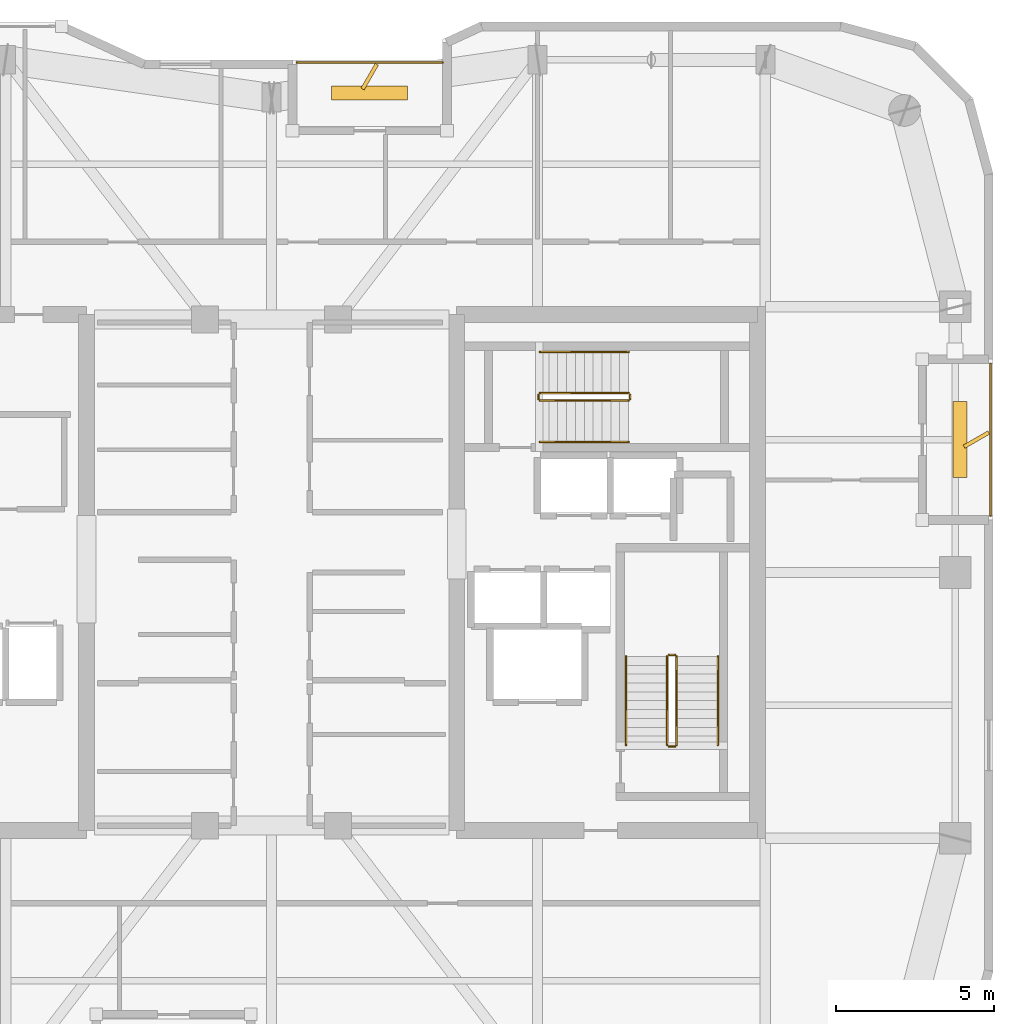
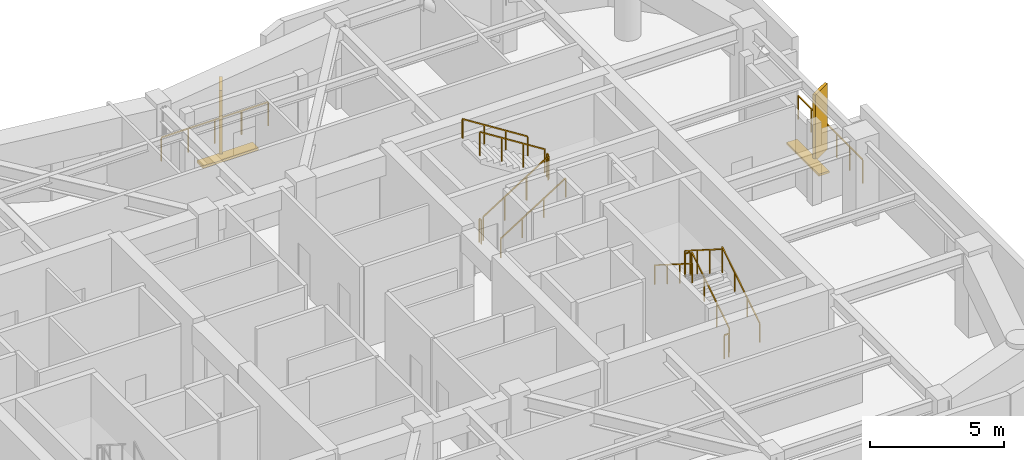
# One storey, part 15 of 15: 14 railings, 4 shading devices.
"""IFC4 building model written with IfcOpenShell, lengths in metres."""

from ifc_helpers import new_model, si_unit, direction, frame, origin, origin_2d, place, context, subcontext, project, spatial, rectangle, extrude, material, type_object, element, save


model = new_model("IFC4")

# Units and contexts
model_context = context("Model", 3, precision=1e-05, world=origin(), true_north=direction((0.0, 1.0)))
body_context = subcontext(model_context, "Body", "Model", "MODEL_VIEW")
ifc_project = project(units=[si_unit("LENGTHUNIT", "METRE"), si_unit("AREAUNIT", "SQUARE_METRE"), si_unit("VOLUMEUNIT", "CUBIC_METRE"), si_unit("PLANEANGLEUNIT", "RADIAN"), si_unit("MASSUNIT", "GRAM", prefix="KILO")], contexts=[model_context])

# Site, building, storey
site_placement = place(None, origin())
site = spatial("IfcSite", under=ifc_project, at=site_placement, CompositionType="ELEMENT")
building_placement = place(site_placement, origin())
building = spatial("IfcBuilding", under=site, at=building_placement, Name="Kiyonajd Concourse Tower", CompositionType="ELEMENT")
storey_placement = place(building_placement, frame((0.0, 0.0, 270.60009765625)))
storey = spatial("IfcBuildingStorey", under=building, at=storey_placement, Name="L68", CompositionType="ELEMENT", Elevation=270.60009765625)

# Railings
ifc_material_1 = material(Name="Thermally Broken Anodised Aluminium", Category="aluminium")
railing_type_1 = type_object("IfcRailingType", Name="RL-GRD-LOG", PredefinedType="GUARDRAIL", material=ifc_material_1)
railing_1_placement = place(storey_placement, frame((53.39990234375, 52.1201171875, 0.0)))
element("IfcRailing", 1, at=railing_1_placement, inside=storey, type_object=railing_type_1, Name="L68 Engawa Loggia Perimeter Guard LOG-N", PredefinedType="GUARDRAIL", context=body_context, shape_type="SweptSolid", body=[
    extrude(rectangle(XDim=0.048095703125, YDim=0.048095703125, at=origin_2d()), frame((0.0, 0.0, 1.076171875), z_axis=(-1.0, 0.0, 0.0), x_axis=(0.0, -1.0, 0.0)), (0.0, 0.0, 1.0), 4.599853515625),
    extrude(rectangle(XDim=0.0419921875, YDim=0.0419921875, at=origin_2d()), origin(), (0.0, 0.0, 1.0), 1.052001953125),
    extrude(rectangle(XDim=0.0419921875, YDim=0.0419921875, at=origin_2d()), frame((-1.14990234375, 0.0, 0.0)), (0.0, 0.0, 1.0), 1.052001953125),
    extrude(rectangle(XDim=0.0419921875, YDim=0.0419921875, at=origin_2d()), frame((-2.2998046875, 0.0, 0.0)), (0.0, 0.0, 1.0), 1.052001953125),
    extrude(rectangle(XDim=0.0419921875, YDim=0.0419921875, at=origin_2d()), frame((-3.449951171875, 0.0, 0.0)), (0.0, 0.0, 1.0), 1.052001953125),
    extrude(rectangle(XDim=0.0419921875, YDim=0.0419921875, at=origin_2d()), frame((-4.599853515625, 0.0, 0.0)), (0.0, 0.0, 1.0), 1.052001953125),
])
railing_2_placement = place(storey_placement, frame((70.719970703125, 37.800048828125, 0.0)))
element("IfcRailing", 2, at=railing_2_placement, inside=storey, type_object=railing_type_1, Name="L68 Engawa Loggia Perimeter Guard LOG-E", PredefinedType="GUARDRAIL", context=body_context, shape_type="SweptSolid", body=[
    extrude(rectangle(XDim=0.048095703125, YDim=0.048095703125, at=origin_2d()), frame((0.0, 0.0, 1.076171875), z_axis=(0.0, 1.0, 0.0), x_axis=(-1.0, 0.0, 0.0)), (0.0, 0.0, 1.0), 4.800048828125),
    extrude(rectangle(XDim=0.0419921875, YDim=0.0419921875, at=origin_2d()), origin(), (0.0, 0.0, 1.0), 1.052001953125),
    extrude(rectangle(XDim=0.0419921875, YDim=0.0419921875, at=origin_2d()), frame((0.0, 0.9599609375, 0.0)), (0.0, 0.0, 1.0), 1.052001953125),
    extrude(rectangle(XDim=0.0419921875, YDim=0.0419921875, at=origin_2d()), frame((0.0, 1.919921875, 0.0)), (0.0, 0.0, 1.0), 1.052001953125),
    extrude(rectangle(XDim=0.0419921875, YDim=0.0419921875, at=origin_2d()), frame((0.0, 2.880126953125, 0.0)), (0.0, 0.0, 1.0), 1.052001953125),
    extrude(rectangle(XDim=0.0419921875, YDim=0.0419921875, at=origin_2d()), frame((0.0, 3.840087890625, 0.0)), (0.0, 0.0, 1.0), 1.052001953125),
    extrude(rectangle(XDim=0.0419921875, YDim=0.0419921875, at=origin_2d()), frame((0.0, 4.800048828125, 0.0)), (0.0, 0.0, 1.0), 1.052001953125),
])
ifc_material_2 = material(Name="Steel ASTM A500 Grade C", Category="steel")
railing_type_2 = type_object("IfcRailingType", Name="RL-GRD-STR", PredefinedType="GUARDRAIL", material=ifc_material_2)
railing_3_placement = place(storey_placement, frame((60.800048828125, 30.550048828125, 0.17724609375)))
element("IfcRailing", 3, at=railing_3_placement, inside=storey, type_object=railing_type_2, Name="L68 ST2 stair guard 1", PredefinedType="GUARDRAIL", context=body_context, shape_type="SweptSolid", body=[
    extrude(rectangle(XDim=0.048095703125, YDim=0.048095703125, at=origin_2d()), frame((0.0, 0.0, 1.076171875), z_axis=(0.0, 0.844908973607, 0.534910110503), x_axis=(-1.0, 0.0, 0.0)), (0.0, 0.0, 1.0), 3.31396484375),
    extrude(rectangle(XDim=0.0419921875, YDim=0.0419921875, at=origin_2d()), origin(), (0.0, 0.0, 1.0), 1.052001953125),
    extrude(rectangle(XDim=0.0419921875, YDim=0.0419921875, at=origin_2d()), frame((0.0, 0.933349609375, 0.5908203125)), (0.0, 0.0, 1.0), 1.052001953125),
    extrude(rectangle(XDim=0.0419921875, YDim=0.0419921875, at=origin_2d()), frame((0.0, 1.86669921875, 1.181884765625)), (0.0, 0.0, 1.0), 1.052001953125),
    extrude(rectangle(XDim=0.0419921875, YDim=0.0419921875, at=origin_2d()), frame((0.0, 2.800048828125, 1.772705078125)), (0.0, 0.0, 1.0), 1.052001953125),
])
railing_4_placement = place(storey_placement, frame((60.75, 33.39990234375, 1.949951171875)))
element("IfcRailing", 4, at=railing_4_placement, inside=storey, type_object=railing_type_2, Name="L68 ST2 stair guard 2", PredefinedType="GUARDRAIL", context=body_context, shape_type="SweptSolid", body=[
    extrude(rectangle(XDim=0.048095703125, YDim=0.048095703125, at=origin_2d()), frame((0.0, 0.0, 1.076171875), z_axis=(-1.0, 0.0, 0.0), x_axis=(0.0, -1.0, 0.0)), (0.0, 0.0, 1.0), 0.199951171875),
    extrude(rectangle(XDim=0.0419921875, YDim=0.0419921875, at=origin_2d()), origin(), (0.0, 0.0, 1.0), 1.052001953125),
    extrude(rectangle(XDim=0.0419921875, YDim=0.0419921875, at=origin_2d()), frame((-0.199951171875, 0.0, 0.0)), (0.0, 0.0, 1.0), 1.052001953125),
])
railing_5_placement = place(storey_placement, frame((60.5, 33.35009765625, 2.127197265625)))
element("IfcRailing", 5, at=railing_5_placement, inside=storey, type_object=railing_type_2, Name="L68 ST2 stair guard 3", PredefinedType="GUARDRAIL", context=body_context, shape_type="SweptSolid", body=[
    extrude(rectangle(XDim=0.048095703125, YDim=0.048095703125, at=origin_2d()), frame((0.0, 0.0, 1.076171875), z_axis=(0.0, -0.844908973607, 0.534910110503), x_axis=(1.0, 0.0, 0.0)), (0.0, 0.0, 1.0), 3.31396484375),
    extrude(rectangle(XDim=0.0419921875, YDim=0.0419921875, at=origin_2d()), origin(), (0.0, 0.0, 1.0), 1.052001953125),
    extrude(rectangle(XDim=0.0419921875, YDim=0.0419921875, at=origin_2d()), frame((0.0, -0.933349609375, 0.5908203125)), (0.0, 0.0, 1.0), 1.052001953125),
    extrude(rectangle(XDim=0.0419921875, YDim=0.0419921875, at=origin_2d()), frame((0.0, -1.86669921875, 1.181884765625)), (0.0, 0.0, 1.0), 1.052001953125),
    extrude(rectangle(XDim=0.0419921875, YDim=0.0419921875, at=origin_2d()), frame((0.0, -2.800048828125, 1.772705078125)), (0.0, 0.0, 1.0), 1.052001953125),
])
railing_6_placement = place(storey_placement, frame((60.75, 30.5, 0.0)))
element("IfcRailing", 6, at=railing_6_placement, inside=storey, type_object=railing_type_2, Name="L68 ST2 stair guard 4", PredefinedType="GUARDRAIL", context=body_context, shape_type="SweptSolid", body=[
    extrude(rectangle(XDim=0.048095703125, YDim=0.048095703125, at=origin_2d()), frame((0.0, 0.0, 1.076171875), z_axis=(-1.0, 0.0, 0.0), x_axis=(0.0, -1.0, 0.0)), (0.0, 0.0, 1.0), 0.199951171875),
    extrude(rectangle(XDim=0.0419921875, YDim=0.0419921875, at=origin_2d()), origin(), (0.0, 0.0, 1.0), 1.052001953125),
    extrude(rectangle(XDim=0.0419921875, YDim=0.0419921875, at=origin_2d()), frame((-0.199951171875, 0.0, 0.0)), (0.0, 0.0, 1.0), 1.052001953125),
])
railing_7_placement = place(storey_placement, frame((56.47998046875, 41.429931640625, 0.17724609375)))
element("IfcRailing", 7, at=railing_7_placement, inside=storey, type_object=railing_type_2, Name="L68 ST3 stair guard 1", PredefinedType="GUARDRAIL", context=body_context, shape_type="SweptSolid", body=[
    extrude(rectangle(XDim=0.048095703125, YDim=0.048095703125, at=origin_2d()), frame((0.0, 0.0, 1.076171875), z_axis=(0.844908973607, 0.0, 0.534910110503), x_axis=(0.0, 1.0, 0.0)), (0.0, 0.0, 1.0), 3.31396484375),
    extrude(rectangle(XDim=0.0419921875, YDim=0.0419921875, at=origin_2d()), origin(), (0.0, 0.0, 1.0), 1.052001953125),
    extrude(rectangle(XDim=0.0419921875, YDim=0.0419921875, at=origin_2d()), frame((0.933349609375, 0.0, 0.5908203125)), (0.0, 0.0, 1.0), 1.052001953125),
    extrude(rectangle(XDim=0.0419921875, YDim=0.0419921875, at=origin_2d()), frame((1.86669921875, 0.0, 1.181884765625)), (0.0, 0.0, 1.0), 1.052001953125),
    extrude(rectangle(XDim=0.0419921875, YDim=0.0419921875, at=origin_2d()), frame((2.800048828125, 0.0, 1.772705078125)), (0.0, 0.0, 1.0), 1.052001953125),
])
railing_8_placement = place(storey_placement, frame((59.330078125, 41.47998046875, 1.949951171875)))
element("IfcRailing", 8, at=railing_8_placement, inside=storey, type_object=railing_type_2, Name="L68 ST3 stair guard 2", PredefinedType="GUARDRAIL", context=body_context, shape_type="SweptSolid", body=[
    extrude(rectangle(XDim=0.048095703125, YDim=0.048095703125, at=origin_2d()), frame((0.0, 0.0, 1.076171875), z_axis=(0.0, 1.0, 0.0), x_axis=(-1.0, 0.0, 0.0)), (0.0, 0.0, 1.0), 0.14013671875),
    extrude(rectangle(XDim=0.0419921875, YDim=0.0419921875, at=origin_2d()), origin(), (0.0, 0.0, 1.0), 1.052001953125),
    extrude(rectangle(XDim=0.0419921875, YDim=0.0419921875, at=origin_2d()), frame((0.0, 0.14013671875, 0.0)), (0.0, 0.0, 1.0), 1.052001953125),
])
railing_9_placement = place(storey_placement, frame((59.280029296875, 41.669921875, 2.127197265625)))
element("IfcRailing", 9, at=railing_9_placement, inside=storey, type_object=railing_type_2, Name="L68 ST3 stair guard 3", PredefinedType="GUARDRAIL", context=body_context, shape_type="SweptSolid", body=[
    extrude(rectangle(XDim=0.048095703125, YDim=0.048095703125, at=origin_2d()), frame((0.0, 0.0, 1.076171875), z_axis=(-0.844908973607, 0.0, 0.534910110503), x_axis=(0.0, -1.0, 0.0)), (0.0, 0.0, 1.0), 3.31396484375),
    extrude(rectangle(XDim=0.0419921875, YDim=0.0419921875, at=origin_2d()), origin(), (0.0, 0.0, 1.0), 1.052001953125),
    extrude(rectangle(XDim=0.0419921875, YDim=0.0419921875, at=origin_2d()), frame((-0.933349609375, 0.0, 0.5908203125)), (0.0, 0.0, 1.0), 1.052001953125),
    extrude(rectangle(XDim=0.0419921875, YDim=0.0419921875, at=origin_2d()), frame((-1.86669921875, 0.0, 1.181884765625)), (0.0, 0.0, 1.0), 1.052001953125),
    extrude(rectangle(XDim=0.0419921875, YDim=0.0419921875, at=origin_2d()), frame((-2.800048828125, 0.0, 1.772705078125)), (0.0, 0.0, 1.0), 1.052001953125),
])
railing_10_placement = place(storey_placement, frame((56.429931640625, 41.47998046875, 0.0)))
element("IfcRailing", 10, at=railing_10_placement, inside=storey, type_object=railing_type_2, Name="L68 ST3 stair guard 4", PredefinedType="GUARDRAIL", context=body_context, shape_type="SweptSolid", body=[
    extrude(rectangle(XDim=0.048095703125, YDim=0.048095703125, at=origin_2d()), frame((0.0, 0.0, 1.076171875), z_axis=(0.0, 1.0, 0.0), x_axis=(-1.0, 0.0, 0.0)), (0.0, 0.0, 1.0), 0.14013671875),
    extrude(rectangle(XDim=0.0419921875, YDim=0.0419921875, at=origin_2d()), origin(), (0.0, 0.0, 1.0), 1.052001953125),
    extrude(rectangle(XDim=0.0419921875, YDim=0.0419921875, at=origin_2d()), frame((0.0, 0.14013671875, 0.0)), (0.0, 0.0, 1.0), 1.052001953125),
])
ifc_material_3 = material(Name="Brushed Stainless Steel Cab Assembly", Category="steel")
railing_type_3 = type_object("IfcRailingType", Name="RL-HND-900", PredefinedType="HANDRAIL", material=ifc_material_3)
railing_11_placement = place(storey_placement, frame((62.10009765625, 30.550048828125, 0.17724609375)))
element("IfcRailing", 11, at=railing_11_placement, inside=storey, type_object=railing_type_3, Name="L68 ST2 stair handrail 1", PredefinedType="HANDRAIL", context=body_context, shape_type="SweptSolid", body=[
    extrude(rectangle(XDim=0.048095703125, YDim=0.048095703125, at=origin_2d()), frame((0.0, 0.0, 0.8759765625), z_axis=(0.0, 0.844908973607, 0.534910110503), x_axis=(-1.0, 0.0, 0.0)), (0.0, 0.0, 1.0), 3.31396484375),
    extrude(rectangle(XDim=0.0419921875, YDim=0.0419921875, at=origin_2d()), origin(), (0.0, 0.0, 1.0), 0.851806640625),
    extrude(rectangle(XDim=0.0419921875, YDim=0.0419921875, at=origin_2d()), frame((0.0, 0.933349609375, 0.5908203125)), (0.0, 0.0, 1.0), 0.851806640625),
    extrude(rectangle(XDim=0.0419921875, YDim=0.0419921875, at=origin_2d()), frame((0.0, 1.86669921875, 1.181884765625)), (0.0, 0.0, 1.0), 0.851806640625),
    extrude(rectangle(XDim=0.0419921875, YDim=0.0419921875, at=origin_2d()), frame((0.0, 2.800048828125, 1.772705078125)), (0.0, 0.0, 1.0), 0.851806640625),
])
railing_12_placement = place(storey_placement, frame((59.199951171875, 33.35009765625, 2.127197265625)))
element("IfcRailing", 12, at=railing_12_placement, inside=storey, type_object=railing_type_3, Name="L68 ST2 stair handrail 2", PredefinedType="HANDRAIL", context=body_context, shape_type="SweptSolid", body=[
    extrude(rectangle(XDim=0.048095703125, YDim=0.048095703125, at=origin_2d()), frame((0.0, 0.0, 0.8759765625), z_axis=(0.0, -0.844908973607, 0.534910110503), x_axis=(1.0, 0.0, 0.0)), (0.0, 0.0, 1.0), 3.31396484375),
    extrude(rectangle(XDim=0.0419921875, YDim=0.0419921875, at=origin_2d()), origin(), (0.0, 0.0, 1.0), 0.851806640625),
    extrude(rectangle(XDim=0.0419921875, YDim=0.0419921875, at=origin_2d()), frame((0.0, -0.933349609375, 0.5908203125)), (0.0, 0.0, 1.0), 0.851806640625),
    extrude(rectangle(XDim=0.0419921875, YDim=0.0419921875, at=origin_2d()), frame((0.0, -1.86669921875, 1.181884765625)), (0.0, 0.0, 1.0), 0.851806640625),
    extrude(rectangle(XDim=0.0419921875, YDim=0.0419921875, at=origin_2d()), frame((0.0, -2.800048828125, 1.772705078125)), (0.0, 0.0, 1.0), 0.851806640625),
])
railing_13_placement = place(storey_placement, frame((56.47998046875, 40.1298828125, 0.17724609375)))
element("IfcRailing", 13, at=railing_13_placement, inside=storey, type_object=railing_type_3, Name="L68 ST3 stair handrail 1", PredefinedType="HANDRAIL", context=body_context, shape_type="SweptSolid", body=[
    extrude(rectangle(XDim=0.048095703125, YDim=0.048095703125, at=origin_2d()), frame((0.0, 0.0, 0.8759765625), z_axis=(0.844908973607, 0.0, 0.534910110503), x_axis=(0.0, 1.0, 0.0)), (0.0, 0.0, 1.0), 3.31396484375),
    extrude(rectangle(XDim=0.0419921875, YDim=0.0419921875, at=origin_2d()), origin(), (0.0, 0.0, 1.0), 0.851806640625),
    extrude(rectangle(XDim=0.0419921875, YDim=0.0419921875, at=origin_2d()), frame((0.933349609375, 0.0, 0.5908203125)), (0.0, 0.0, 1.0), 0.851806640625),
    extrude(rectangle(XDim=0.0419921875, YDim=0.0419921875, at=origin_2d()), frame((1.86669921875, 0.0, 1.181884765625)), (0.0, 0.0, 1.0), 0.851806640625),
    extrude(rectangle(XDim=0.0419921875, YDim=0.0419921875, at=origin_2d()), frame((2.800048828125, 0.0, 1.772705078125)), (0.0, 0.0, 1.0), 0.851806640625),
])
railing_14_placement = place(storey_placement, frame((59.280029296875, 42.969970703125, 2.127197265625)))
element("IfcRailing", 14, at=railing_14_placement, inside=storey, type_object=railing_type_3, Name="L68 ST3 stair handrail 2", PredefinedType="HANDRAIL", context=body_context, shape_type="SweptSolid", body=[
    extrude(rectangle(XDim=0.048095703125, YDim=0.048095703125, at=origin_2d()), frame((0.0, 0.0, 0.8759765625), z_axis=(-0.844908973607, 0.0, 0.534910110503), x_axis=(0.0, -1.0, 0.0)), (0.0, 0.0, 1.0), 3.31396484375),
    extrude(rectangle(XDim=0.0419921875, YDim=0.0419921875, at=origin_2d()), origin(), (0.0, 0.0, 1.0), 0.851806640625),
    extrude(rectangle(XDim=0.0419921875, YDim=0.0419921875, at=origin_2d()), frame((-0.933349609375, 0.0, 0.5908203125)), (0.0, 0.0, 1.0), 0.851806640625),
    extrude(rectangle(XDim=0.0419921875, YDim=0.0419921875, at=origin_2d()), frame((-1.86669921875, 0.0, 1.181884765625)), (0.0, 0.0, 1.0), 0.851806640625),
    extrude(rectangle(XDim=0.0419921875, YDim=0.0419921875, at=origin_2d()), frame((-2.800048828125, 0.0, 1.772705078125)), (0.0, 0.0, 1.0), 0.851806640625),
])

# Shading devices
ifc_material_4 = material(Name="Precast concrete C50/60", Category="concrete")
shading_device_type_1 = type_object("IfcShadingDeviceType", Name="SH-FIN-900", PredefinedType="USERDEFINED", material=ifc_material_4)
for number, where, z_axis, x_axis, name in (
    (15, (51.10009765625, 51.669921875, 0.0), (0.0, 0.0, 1.0), (0.5, 0.866025403784, 0.0), "L68 Angled Koshi Solar Fin LOG-N"),
    (16, (70.27001953125, 40.199951171875, 0.0), (0.0, 0.0, 1.0), (0.866025403784, 0.5, 0.0), "L68 Angled Koshi Solar Fin LOG-E"),
):
    element("IfcShadingDevice", number, at=place(storey_placement, frame(where, z_axis=z_axis, x_axis=x_axis)), inside=storey, type_object=shading_device_type_1, Name=name, ObjectType="FIN", PredefinedType="USERDEFINED", context=body_context, shape_type="SweptSolid", body=[
        extrude(rectangle(XDim=0.89990234375, YDim=0.1201171875, at=origin_2d()), origin(), (0.0, 0.0, 1.0), 3.0),
    ])
shading_device_type_2 = type_object("IfcShadingDeviceType", Name="SH-LVR-600", PredefinedType="JALOUSIE", material=ifc_material_1)
for number, where, z_axis, x_axis, name in (
    (17, (51.10009765625, 51.14990234375, -0.000244140625), (0.0, 0.0, 1.0), (1.0, 0.0, 0.0), "L68 Loggia Threshold Louver LOG-N"),
    (18, (69.75, 40.199951171875, -0.000244140625), (0.0, 0.0, 1.0), (0.0, 1.0, 0.0), "L68 Loggia Threshold Louver LOG-E"),
):
    element("IfcShadingDevice", number, at=place(storey_placement, frame(where, z_axis=z_axis, x_axis=x_axis)), inside=storey, type_object=shading_device_type_2, Name=name, PredefinedType="JALOUSIE", context=body_context, shape_type="SweptSolid", body=[
        extrude(rectangle(XDim=2.39990234375, YDim=0.449951171875, at=origin_2d()), origin(), (0.0, 0.0, 1.0), 0.10009765625),
    ])

save(model, "model.ifc")
